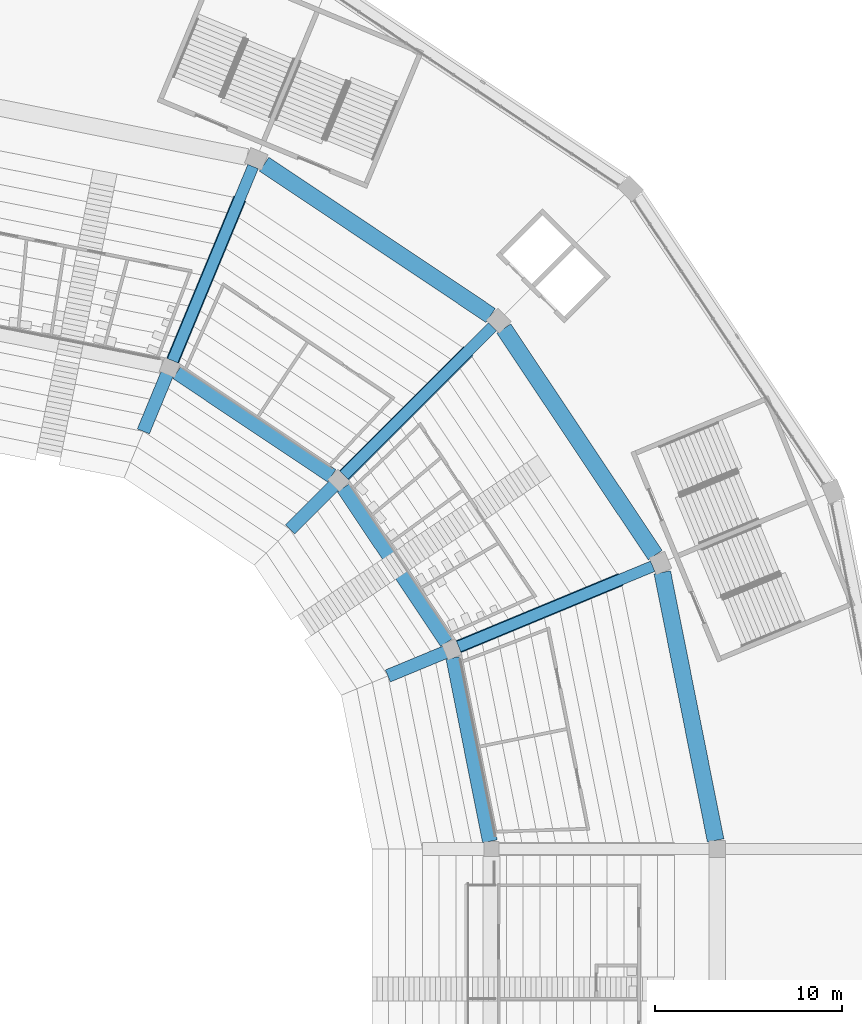
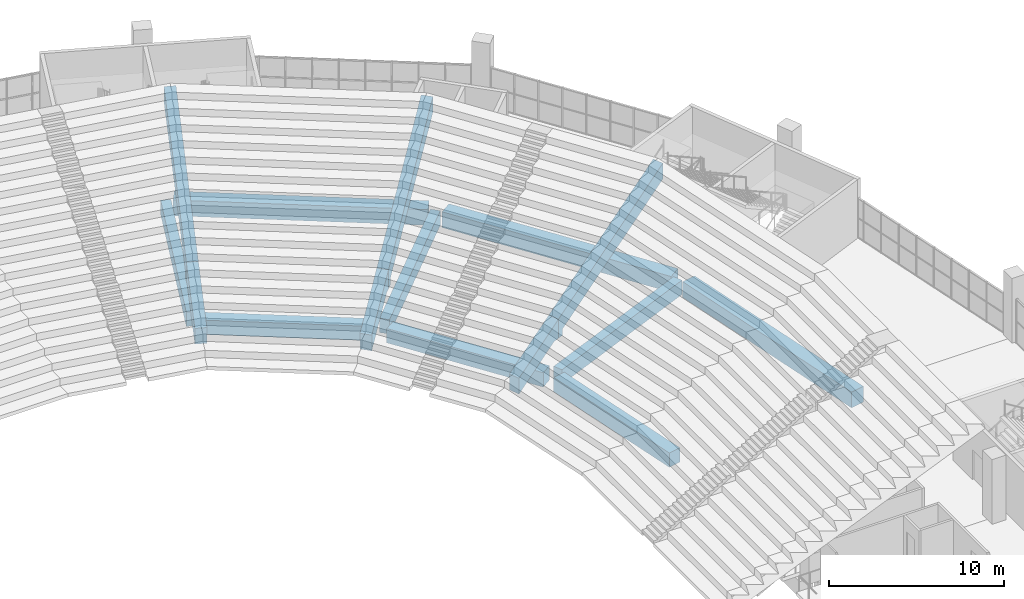
# One storey, part 57 of 249: 15 beams.
"""IFC4 building model written with IfcOpenShell, lengths in metres."""

from ifc_helpers import new_model, si_unit, direction, frame, origin, origin_2d, place, context, subcontext, project, spatial, polyline, rectangle, outline, extrude, material, material_profile, profile_set, type_object, element, save


model = new_model("IFC4")

# Units and contexts
model_context = context("Model", 3, precision=1e-05, world=origin(), true_north=direction((0.0, 1.0)))
body_context = subcontext(model_context, "Body", "Model", "MODEL_VIEW")
ifc_project = project(units=[si_unit("LENGTHUNIT", "METRE"), si_unit("AREAUNIT", "SQUARE_METRE"), si_unit("VOLUMEUNIT", "CUBIC_METRE"), si_unit("PLANEANGLEUNIT", "RADIAN"), si_unit("MASSUNIT", "GRAM", prefix="KILO")], contexts=[model_context])

# Site, building, storey
site_placement = place(None, origin())
site = spatial("IfcSite", under=ifc_project, at=site_placement, CompositionType="ELEMENT")
building_placement = place(site_placement, origin())
building = spatial("IfcBuilding", under=site, at=building_placement, Name="Ogive Plaza Stadium", CompositionType="ELEMENT")
storey_placement = place(building_placement, frame((0.0, 0.0, 13.5)))
storey = spatial("IfcBuildingStorey", under=building, at=storey_placement, Name="L03", CompositionType="ELEMENT", Elevation=13.5)

# Beams
ifc_material_1 = material(Name="Concrete C45/55 precast", Category="concrete")
ifc_material_profile_1 = material_profile(ifc_material_1, rectangle(XDim=0.699951171875, YDim=1.10009765625, at=origin_2d()), Name="RC 700x1100")
ifc_profile_set_1 = profile_set([ifc_material_profile_1], Name="Concrete C45/55 precast")
beam_type_1 = type_object("IfcBeamType", Name="Precast raker UT back-span 700x1100", PredefinedType="USERDEFINED", material=ifc_profile_set_1)
for number, where, z_axis, x_axis, name in (
    (1, (34.0, 52.5, -13.5), (0.0, 0.0, 1.0), (0.382683432365, 0.923879532511, 0.0), "RAKER UT BACK-SPAN R38"),
    (2, (34.0, 52.5, -13.5), (0.0, 0.0, 1.0), (0.707106781187, 0.707106781187, 0.0), "RAKER UT BACK-SPAN R39"),
    (3, (34.0, 52.5, -13.5), (0.0, 0.0, 1.0), (0.923879532511, 0.382683432365, 0.0), "RAKER UT BACK-SPAN R40"),
):
    element("IfcBeam", number, at=place(storey_placement, frame(where, z_axis=z_axis, x_axis=x_axis)), inside=storey, type_object=beam_type_1, Name=name, ObjectType="RAKER", PredefinedType="USERDEFINED", context=body_context, shape_type="SweptSolid", body=[
        extrude(outline(polyline([(27.89990234375, 15.533203125), (28.300048828125, 15.533203125), (28.300048828125, 15.977783203125), (37.699951171875, 21.199951171875), (37.699951171875, 22.300048828125), (27.89990234375, 16.855712890625), (27.89990234375, 15.533203125)])), frame((0.0, 0.35009765625, 0.0), z_axis=(0.0, -1.0, 0.0), x_axis=(1.0, 0.0, 0.0)), (0.0, 0.0, 1.0), 0.699951171875),
    ])
ifc_material_2 = material(Name="Concrete C45/55 precast", Category="concrete")
ifc_material_profile_2 = material_profile(ifc_material_2, rectangle(XDim=0.699951171875, YDim=1.10009765625, at=origin_2d()), Name="RC 700x1100")
ifc_profile_set_2 = profile_set([ifc_material_profile_2], Name="Concrete C45/55 precast")
beam_type_2 = type_object("IfcBeamType", Name="Precast raker UT cantilever 700x1100", PredefinedType="USERDEFINED", material=ifc_profile_set_2)
for number, where, z_axis, x_axis, name in (
    (4, (34.0, 52.5, -13.5), (0.0, 0.0, 1.0), (0.382683432365, 0.923879532511, 0.0), "RAKER UT CANTILEVER R38"),
    (5, (34.0, 52.5, -13.5), (0.0, 0.0, 1.0), (0.707106781187, 0.707106781187, 0.0), "RAKER UT CANTILEVER R39"),
    (6, (34.0, 52.5, -13.5), (0.0, 0.0, 1.0), (0.923879532511, 0.382683432365, 0.0), "RAKER UT CANTILEVER R40"),
):
    element("IfcBeam", number, at=place(storey_placement, frame(where, z_axis=z_axis, x_axis=x_axis)), inside=storey, type_object=beam_type_2, Name=name, ObjectType="RAKER", PredefinedType="USERDEFINED", context=body_context, shape_type="SweptSolid", body=[
        extrude(outline(polyline([(24.199951171875, 13.699951171875), (27.5, 15.533203125), (27.89990234375, 15.533203125), (27.89990234375, 16.855712890625), (24.199951171875, 14.800048828125), (24.199951171875, 13.699951171875)])), frame((0.0, 0.35009765625, 0.0), z_axis=(0.0, -1.0, 0.0), x_axis=(1.0, 0.0, 0.0)), (0.0, 0.0, 1.0), 0.699951171875),
    ])
ifc_material_3 = material(Name="Concrete C40/50", Category="concrete")
ifc_material_profile_3 = material_profile(ifc_material_3, rectangle(XDim=0.60009765625, YDim=1.0, at=origin_2d()), Name="RC 600x1000")
ifc_profile_set_3 = profile_set([ifc_material_profile_3], Name="Concrete C40/50")
beam_type_3 = type_object("IfcBeamType", Name="RC radial beam 600x1000", PredefinedType="BEAM", material=ifc_profile_set_3)
beam_1_placement = place(storey_placement, frame((44.829833984375, 78.645751953125, -0.909912109375), z_axis=(0.382677616283, 0.92388194159, 0.0), x_axis=(-0.92388194159, 0.382677616283, 0.0)))
element("IfcBeam", 7, at=beam_1_placement, inside=storey, type_object=beam_type_3, Name="Radial beam L03 R38 F3F4", PredefinedType="BEAM", context=body_context, shape_type="SweptSolid", body=[
    extrude(rectangle(XDim=0.60009765625, YDim=1.0, at=origin_2d()), origin(), (0.0, 0.0, 1.0), 11.250244140625),
])
beam_2_placement = place(storey_placement, frame((54.01123046875, 72.51123046875, -0.909912109375), z_axis=(0.707106781187, 0.707106781187, 0.0), x_axis=(-0.707106781187, 0.707106781187, 0.0)))
element("IfcBeam", 8, at=beam_2_placement, inside=storey, type_object=beam_type_3, Name="Radial beam L03 R39 F3F4", PredefinedType="BEAM", context=body_context, shape_type="SweptSolid", body=[
    extrude(rectangle(XDim=0.60009765625, YDim=1.0, at=origin_2d()), origin(), (0.0, 0.0, 1.0), 11.249755859375),
])
beam_3_placement = place(storey_placement, frame((60.145751953125, 63.329833984375, -0.909912109375), z_axis=(0.92388194159, 0.382677616283, 0.0), x_axis=(-0.382677616283, 0.92388194159, 0.0)))
element("IfcBeam", 9, at=beam_3_placement, inside=storey, type_object=beam_type_3, Name="Radial beam L03 R40 F3F4", PredefinedType="BEAM", context=body_context, shape_type="SweptSolid", body=[
    extrude(rectangle(XDim=0.60009765625, YDim=1.0, at=origin_2d()), origin(), (0.0, 0.0, 1.0), 11.250244140625),
])
ifc_material_4 = material(Name="Concrete C40/50", Category="concrete")
ifc_material_profile_4 = material_profile(ifc_material_4, rectangle(XDim=0.800048828125, YDim=1.0, at=origin_2d()), Name="RC 800x1000")
ifc_profile_set_4 = profile_set([ifc_material_profile_4], Name="Concrete C40/50")
beam_type_4 = type_object("IfcBeamType", Name="RC ring beam 800x1000", PredefinedType="BEAM", material=ifc_profile_set_4)
for number, where, z_axis, x_axis, name in (
    (10, (45.058349609375, 78.021240234375, -0.909912109375), (0.831469573595, -0.555570290949, 0.0), (0.555570290949, 0.831469573595, 0.0), "Ring beam F3 L03 B38"),
    (11, (53.983154296875, 71.8466796875, -0.909912109375), (0.555570290949, -0.831469573595, 0.0), (0.831469573595, 0.555570290949, 0.0), "Ring beam F3 L03 B39"),
):
    element("IfcBeam", number, at=place(storey_placement, frame(where, z_axis=z_axis, x_axis=x_axis)), inside=storey, type_object=beam_type_4, Name=name, PredefinedType="BEAM", context=body_context, shape_type="SweptSolid", body=[
        extrude(rectangle(XDim=0.800048828125, YDim=1.0, at=origin_2d()), origin(), (0.0, 0.0, 1.0), 9.96826171875),
    ])
beam_4_placement = place(storey_placement, frame((59.86572265625, 62.726806640625, -0.909912109375), z_axis=(0.195103876937, -0.980782584064, 0.0), x_axis=(0.980782584064, 0.195103876937, 0.0)))
element("IfcBeam", 12, at=beam_4_placement, inside=storey, type_object=beam_type_4, Name="Ring beam F3 L03 B40", PredefinedType="BEAM", context=body_context, shape_type="SweptSolid", body=[
    extrude(rectangle(XDim=0.800048828125, YDim=1.0, at=origin_2d()), origin(), (0.0, 0.0, 1.0), 10.01953125),
])
ifc_material_5 = material(Name="Concrete C40/50", Category="concrete")
ifc_material_profile_5 = material_profile(ifc_material_5, rectangle(XDim=0.89990234375, YDim=1.10009765625, at=origin_2d()), Name="RC 900x1100")
ifc_profile_set_5 = profile_set([ifc_material_profile_5], Name="Concrete C40/50")
beam_type_5 = type_object("IfcBeamType", Name="RC ring beam 900x1100", PredefinedType="BEAM", material=ifc_profile_set_5)
for number, where, z_axis, x_axis, name in (
    (13, (49.731201171875, 89.171875, -0.9599609375), (0.831467933961, -0.555572744827, 0.0), (0.555572744827, 0.831467933961, 0.0), "Ring beam F4 L03 B38"),
    (14, (62.5673828125, 80.3603515625, -0.9599609375), (0.555572744827, -0.831467933961, 0.0), (0.831467933961, 0.555572744827, 0.0), "Ring beam F4 L03 B39"),
):
    element("IfcBeam", number, at=place(storey_placement, frame(where, z_axis=z_axis, x_axis=x_axis)), inside=storey, type_object=beam_type_5, Name=name, PredefinedType="BEAM", context=body_context, shape_type="SweptSolid", body=[
        extrude(rectangle(XDim=0.89990234375, YDim=1.10009765625, at=origin_2d()), origin(), (0.0, 0.0, 1.0), 14.587646484375),
    ])
beam_5_placement = place(storey_placement, frame((71.0546875, 67.307373046875, -0.9599609375), z_axis=(0.195080078519, -0.980787317906, 0.0), x_axis=(0.980787317906, 0.195080078519, 0.0)))
element("IfcBeam", 15, at=beam_5_placement, inside=storey, type_object=beam_type_5, Name="Ring beam F4 L03 B40", PredefinedType="BEAM", context=body_context, shape_type="SweptSolid", body=[
    extrude(rectangle(XDim=0.89990234375, YDim=1.10009765625, at=origin_2d()), origin(), (0.0, 0.0, 1.0), 14.638671875),
])

save(model, "model.ifc")
